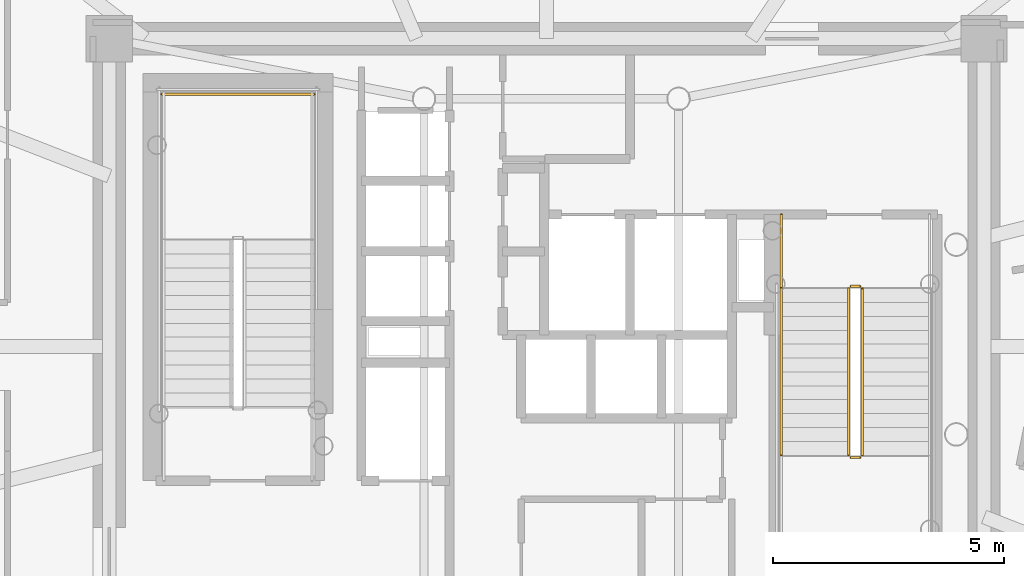
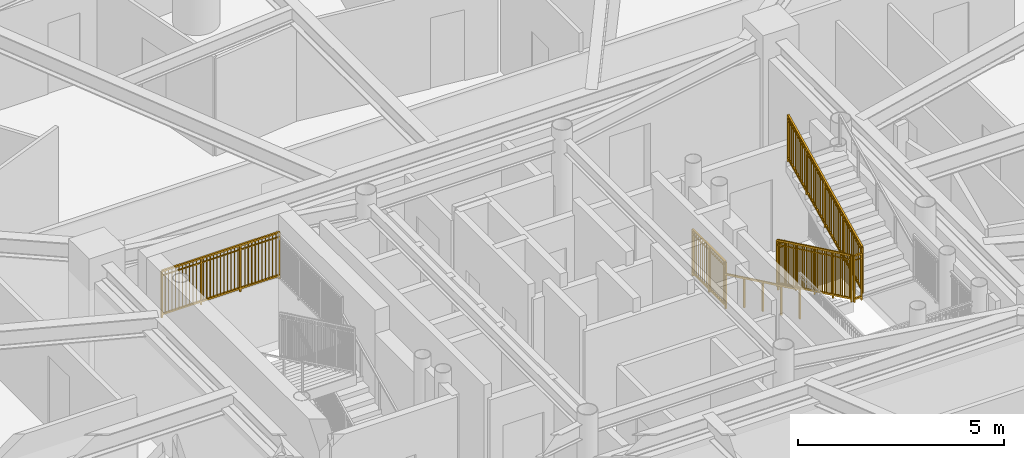
# One storey, part 16 of 18: 7 railings.
"""IFC4 building model written with IfcOpenShell, lengths in metres."""

from ifc_helpers import new_model, si_unit, direction, frame, origin, origin_2d, place, context, subcontext, project, spatial, rectangle, extrude, source, transform, mapped, material, type_object, element, save


model = new_model("IFC4")

# Units and contexts
model_context = context("Model", 3, precision=1e-05, world=origin(), true_north=direction((0.0, 1.0)))
body_context = subcontext(model_context, "Body", "Model", "MODEL_VIEW")
ifc_project = project(units=[si_unit("LENGTHUNIT", "METRE"), si_unit("AREAUNIT", "SQUARE_METRE"), si_unit("VOLUMEUNIT", "CUBIC_METRE"), si_unit("PLANEANGLEUNIT", "RADIAN"), si_unit("MASSUNIT", "GRAM", prefix="KILO")], contexts=[model_context])

# Site, building, storey
site_placement = place(None, origin())
site = spatial("IfcSite", under=ifc_project, at=site_placement, CompositionType="ELEMENT")
building_placement = place(site_placement, origin())
building = spatial("IfcBuilding", under=site, at=building_placement, Name="Linh Dai School and Residence Tower", CompositionType="ELEMENT")
storey_placement = place(building_placement, frame((0.0, 0.0, 259.050048828125)))
storey = spatial("IfcBuildingStorey", under=building, at=storey_placement, Name="L64", CompositionType="ELEMENT", Elevation=259.050048828125)

# Railings
ifc_material_1 = material(Name="Structural Steel S355JR", Category="steel")
railing_type_1 = type_object("IfcRailingType", Name="RL-ST-GUARD-1400", PredefinedType="GUARDRAIL", material=ifc_material_1)
shared_shape_1 = source(origin(), body_context, "Body", "SweptSolid", [
    extrude(rectangle(XDim=0.048095703125, YDim=0.048095703125, at=origin_2d()), frame((0.0, 0.0, 1.3759765625), z_axis=(-1.0, 0.0, 0.0), x_axis=(0.0, -1.0, 0.0)), (0.0, 0.0, 1.0), 3.300048828125),
    extrude(rectangle(XDim=0.048095703125, YDim=0.048095703125, at=origin_2d()), frame((0.0, 0.0, 0.10009765625), z_axis=(-1.0, 0.0, 0.0), x_axis=(0.0, -1.0, 0.0)), (0.0, 0.0, 1.0), 3.300048828125),
    extrude(rectangle(XDim=0.030029296875, YDim=0.030029296875, at=origin_2d()), frame((0.0, 0.0, 1.239990234375), z_axis=(-1.0, 0.0, 0.0), x_axis=(0.0, -1.0, 0.0)), (0.0, 0.0, 1.0), 3.300048828125),
    extrude(rectangle(XDim=0.02001953125, YDim=0.02001953125, at=origin_2d()), frame((-0.09716796875, 0.0, 0.10009765625)), (0.0, 0.0, 1.0), 1.251708984375),
    extrude(rectangle(XDim=0.02001953125, YDim=0.02001953125, at=origin_2d()), frame((-0.194091796875, 0.0, 0.10009765625)), (0.0, 0.0, 1.0), 1.251708984375),
    extrude(rectangle(XDim=0.02001953125, YDim=0.02001953125, at=origin_2d()), frame((-0.291259765625, 0.0, 0.10009765625)), (0.0, 0.0, 1.0), 1.251708984375),
    extrude(rectangle(XDim=0.02001953125, YDim=0.02001953125, at=origin_2d()), frame((-0.38818359375, 0.0, 0.10009765625)), (0.0, 0.0, 1.0), 1.251708984375),
    extrude(rectangle(XDim=0.02001953125, YDim=0.02001953125, at=origin_2d()), frame((-0.4853515625, 0.0, 0.10009765625)), (0.0, 0.0, 1.0), 1.251708984375),
    extrude(rectangle(XDim=0.02001953125, YDim=0.02001953125, at=origin_2d()), frame((-0.582275390625, 0.0, 0.10009765625)), (0.0, 0.0, 1.0), 1.251708984375),
    extrude(rectangle(XDim=0.02001953125, YDim=0.02001953125, at=origin_2d()), frame((-0.679443359375, 0.0, 0.10009765625)), (0.0, 0.0, 1.0), 1.251708984375),
    extrude(rectangle(XDim=0.02001953125, YDim=0.02001953125, at=origin_2d()), frame((-0.7763671875, 0.0, 0.10009765625)), (0.0, 0.0, 1.0), 1.251708984375),
    extrude(rectangle(XDim=0.02001953125, YDim=0.02001953125, at=origin_2d()), frame((-0.87353515625, 0.0, 0.10009765625)), (0.0, 0.0, 1.0), 1.251708984375),
    extrude(rectangle(XDim=0.02001953125, YDim=0.02001953125, at=origin_2d()), frame((-0.970703125, 0.0, 0.10009765625)), (0.0, 0.0, 1.0), 1.251708984375),
    extrude(rectangle(XDim=0.02001953125, YDim=0.02001953125, at=origin_2d()), frame((-1.164794921875, 0.0, 0.10009765625)), (0.0, 0.0, 1.0), 1.251708984375),
    extrude(rectangle(XDim=0.02001953125, YDim=0.02001953125, at=origin_2d()), frame((-1.26171875, 0.0, 0.10009765625)), (0.0, 0.0, 1.0), 1.251708984375),
    extrude(rectangle(XDim=0.02001953125, YDim=0.02001953125, at=origin_2d()), frame((-1.35888671875, 0.0, 0.10009765625)), (0.0, 0.0, 1.0), 1.251708984375),
    extrude(rectangle(XDim=0.02001953125, YDim=0.02001953125, at=origin_2d()), frame((-1.455810546875, 0.0, 0.10009765625)), (0.0, 0.0, 1.0), 1.251708984375),
    extrude(rectangle(XDim=0.02001953125, YDim=0.02001953125, at=origin_2d()), frame((-1.552978515625, 0.0, 0.10009765625)), (0.0, 0.0, 1.0), 1.251708984375),
    extrude(rectangle(XDim=0.02001953125, YDim=0.02001953125, at=origin_2d()), frame((-1.64990234375, 0.0, 0.10009765625)), (0.0, 0.0, 1.0), 1.251708984375),
    extrude(rectangle(XDim=0.02001953125, YDim=0.02001953125, at=origin_2d()), frame((-1.7470703125, 0.0, 0.10009765625)), (0.0, 0.0, 1.0), 1.251708984375),
    extrude(rectangle(XDim=0.02001953125, YDim=0.02001953125, at=origin_2d()), frame((-1.84423828125, 0.0, 0.10009765625)), (0.0, 0.0, 1.0), 1.251708984375),
    extrude(rectangle(XDim=0.02001953125, YDim=0.02001953125, at=origin_2d()), frame((-1.941162109375, 0.0, 0.10009765625)), (0.0, 0.0, 1.0), 1.251708984375),
    extrude(rectangle(XDim=0.02001953125, YDim=0.02001953125, at=origin_2d()), frame((-2.038330078125, 0.0, 0.10009765625)), (0.0, 0.0, 1.0), 1.251708984375),
    extrude(rectangle(XDim=0.02001953125, YDim=0.02001953125, at=origin_2d()), frame((-2.13525390625, 0.0, 0.10009765625)), (0.0, 0.0, 1.0), 1.251708984375),
    extrude(rectangle(XDim=0.02001953125, YDim=0.02001953125, at=origin_2d()), frame((-2.329345703125, 0.0, 0.10009765625)), (0.0, 0.0, 1.0), 1.251708984375),
    extrude(rectangle(XDim=0.02001953125, YDim=0.02001953125, at=origin_2d()), frame((-2.426513671875, 0.0, 0.10009765625)), (0.0, 0.0, 1.0), 1.251708984375),
    extrude(rectangle(XDim=0.02001953125, YDim=0.02001953125, at=origin_2d()), frame((-2.523681640625, 0.0, 0.10009765625)), (0.0, 0.0, 1.0), 1.251708984375),
    extrude(rectangle(XDim=0.02001953125, YDim=0.02001953125, at=origin_2d()), frame((-2.62060546875, 0.0, 0.10009765625)), (0.0, 0.0, 1.0), 1.251708984375),
    extrude(rectangle(XDim=0.02001953125, YDim=0.02001953125, at=origin_2d()), frame((-2.7177734375, 0.0, 0.10009765625)), (0.0, 0.0, 1.0), 1.251708984375),
    extrude(rectangle(XDim=0.02001953125, YDim=0.02001953125, at=origin_2d()), frame((-2.814697265625, 0.0, 0.10009765625)), (0.0, 0.0, 1.0), 1.251708984375),
    extrude(rectangle(XDim=0.02001953125, YDim=0.02001953125, at=origin_2d()), frame((-2.911865234375, 0.0, 0.10009765625)), (0.0, 0.0, 1.0), 1.251708984375),
    extrude(rectangle(XDim=0.02001953125, YDim=0.02001953125, at=origin_2d()), frame((-3.0087890625, 0.0, 0.10009765625)), (0.0, 0.0, 1.0), 1.251708984375),
    extrude(rectangle(XDim=0.02001953125, YDim=0.02001953125, at=origin_2d()), frame((-3.10595703125, 0.0, 0.10009765625)), (0.0, 0.0, 1.0), 1.251708984375),
    extrude(rectangle(XDim=0.02001953125, YDim=0.02001953125, at=origin_2d()), frame((-3.202880859375, 0.0, 0.10009765625)), (0.0, 0.0, 1.0), 1.251708984375),
    extrude(rectangle(XDim=0.0419921875, YDim=0.0419921875, at=origin_2d()), origin(), (0.0, 0.0, 1.0), 1.3759765625),
    extrude(rectangle(XDim=0.0419921875, YDim=0.0419921875, at=origin_2d()), frame((-1.10009765625, 0.0, 0.0)), (0.0, 0.0, 1.0), 1.3759765625),
    extrude(rectangle(XDim=0.0419921875, YDim=0.0419921875, at=origin_2d()), frame((-2.199951171875, 0.0, 0.0)), (0.0, 0.0, 1.0), 1.3759765625),
    extrude(rectangle(XDim=0.0419921875, YDim=0.0419921875, at=origin_2d()), frame((-3.300048828125, 0.0, 0.0)), (0.0, 0.0, 1.0), 1.3759765625),
])
railing_1_placement = place(storey_placement, frame((30.97998046875, 32.449951171875, 1.875)))
element("IfcRailing", 1, at=railing_1_placement, inside=storey, type_object=railing_type_1, Name="L64 ST1 stair guard 5", PredefinedType="GUARDRAIL", context=body_context, shape_type="MappedRepresentation", body=[
    mapped(shared_shape_1, transform((0.0, 0.0, 0.0), x_axis=(1.0, 0.0, 0.0), y_axis=(0.0, 1.0, 0.0), z_axis=(0.0, 0.0, 1.0), scale=1.0)),
])
shared_shape_2 = source(origin(), body_context, "Body", "SweptSolid", [
    extrude(rectangle(XDim=0.048095703125, YDim=0.048095703125, at=origin_2d()), frame((0.0, 0.0, 1.3759765625), z_axis=(0.0, 0.901262522062, 0.433273431364), x_axis=(-1.0, 0.0, 0.0)), (0.0, 0.0, 1.0), 3.994384765625),
    extrude(rectangle(XDim=0.048095703125, YDim=0.048095703125, at=origin_2d()), frame((0.0, 0.0, 0.10009765625), z_axis=(0.0, 0.901262522062, 0.433273431364), x_axis=(-1.0, 0.0, 0.0)), (0.0, 0.0, 1.0), 3.994384765625),
    extrude(rectangle(XDim=0.030029296875, YDim=0.030029296875, at=origin_2d()), frame((0.0, 0.0, 1.239990234375), z_axis=(0.0, 0.901262522062, 0.433273431364), x_axis=(-1.0, 0.0, 0.0)), (0.0, 0.0, 1.0), 3.994384765625),
    extrude(rectangle(XDim=0.02001953125, YDim=0.02001953125, at=origin_2d()), frame((0.0, 0.087890625, 0.142333984375)), (0.0, 0.0, 1.0), 1.251708984375),
    extrude(rectangle(XDim=0.02001953125, YDim=0.02001953125, at=origin_2d()), frame((0.0, 0.175537109375, 0.1845703125)), (0.0, 0.0, 1.0), 1.251708984375),
    extrude(rectangle(XDim=0.02001953125, YDim=0.02001953125, at=origin_2d()), frame((0.0, 0.263427734375, 0.226806640625)), (0.0, 0.0, 1.0), 1.251708984375),
    extrude(rectangle(XDim=0.02001953125, YDim=0.02001953125, at=origin_2d()), frame((0.0, 0.351318359375, 0.26904296875)), (0.0, 0.0, 1.0), 1.251708984375),
    extrude(rectangle(XDim=0.02001953125, YDim=0.02001953125, at=origin_2d()), frame((0.0, 0.43896484375, 0.311279296875)), (0.0, 0.0, 1.0), 1.251708984375),
    extrude(rectangle(XDim=0.02001953125, YDim=0.02001953125, at=origin_2d()), frame((0.0, 0.52685546875, 0.353271484375)), (0.0, 0.0, 1.0), 1.251708984375),
    extrude(rectangle(XDim=0.02001953125, YDim=0.02001953125, at=origin_2d()), frame((0.0, 0.61474609375, 0.3955078125)), (0.0, 0.0, 1.0), 1.251708984375),
    extrude(rectangle(XDim=0.02001953125, YDim=0.02001953125, at=origin_2d()), frame((0.0, 0.702392578125, 0.437744140625)), (0.0, 0.0, 1.0), 1.251708984375),
    extrude(rectangle(XDim=0.02001953125, YDim=0.02001953125, at=origin_2d()), frame((0.0, 0.790283203125, 0.47998046875)), (0.0, 0.0, 1.0), 1.251708984375),
    extrude(rectangle(XDim=0.02001953125, YDim=0.02001953125, at=origin_2d()), frame((0.0, 0.9658203125, 0.564453125)), (0.0, 0.0, 1.0), 1.251708984375),
    extrude(rectangle(XDim=0.02001953125, YDim=0.02001953125, at=origin_2d()), frame((0.0, 1.0537109375, 0.606689453125)), (0.0, 0.0, 1.0), 1.251708984375),
    extrude(rectangle(XDim=0.02001953125, YDim=0.02001953125, at=origin_2d()), frame((0.0, 1.1416015625, 0.64892578125)), (0.0, 0.0, 1.0), 1.251708984375),
    extrude(rectangle(XDim=0.02001953125, YDim=0.02001953125, at=origin_2d()), frame((0.0, 1.229248046875, 0.691162109375)), (0.0, 0.0, 1.0), 1.251708984375),
    extrude(rectangle(XDim=0.02001953125, YDim=0.02001953125, at=origin_2d()), frame((0.0, 1.317138671875, 0.7333984375)), (0.0, 0.0, 1.0), 1.251708984375),
    extrude(rectangle(XDim=0.02001953125, YDim=0.02001953125, at=origin_2d()), frame((0.0, 1.405029296875, 0.775390625)), (0.0, 0.0, 1.0), 1.251708984375),
    extrude(rectangle(XDim=0.02001953125, YDim=0.02001953125, at=origin_2d()), frame((0.0, 1.49267578125, 0.817626953125)), (0.0, 0.0, 1.0), 1.251708984375),
    extrude(rectangle(XDim=0.02001953125, YDim=0.02001953125, at=origin_2d()), frame((0.0, 1.58056640625, 0.85986328125)), (0.0, 0.0, 1.0), 1.251708984375),
    extrude(rectangle(XDim=0.02001953125, YDim=0.02001953125, at=origin_2d()), frame((0.0, 1.66845703125, 0.902099609375)), (0.0, 0.0, 1.0), 1.251708984375),
    extrude(rectangle(XDim=0.02001953125, YDim=0.02001953125, at=origin_2d()), frame((0.0, 1.756103515625, 0.9443359375)), (0.0, 0.0, 1.0), 1.251708984375),
    extrude(rectangle(XDim=0.02001953125, YDim=0.02001953125, at=origin_2d()), frame((0.0, 1.843994140625, 0.986572265625)), (0.0, 0.0, 1.0), 1.251708984375),
    extrude(rectangle(XDim=0.02001953125, YDim=0.02001953125, at=origin_2d()), frame((0.0, 1.931640625, 1.02880859375)), (0.0, 0.0, 1.0), 1.251708984375),
    extrude(rectangle(XDim=0.02001953125, YDim=0.02001953125, at=origin_2d()), frame((0.0, 2.01953125, 1.071044921875)), (0.0, 0.0, 1.0), 1.251708984375),
    extrude(rectangle(XDim=0.02001953125, YDim=0.02001953125, at=origin_2d()), frame((0.0, 2.107421875, 1.11328125)), (0.0, 0.0, 1.0), 1.251708984375),
    extrude(rectangle(XDim=0.02001953125, YDim=0.02001953125, at=origin_2d()), frame((0.0, 2.195068359375, 1.155517578125)), (0.0, 0.0, 1.0), 1.251708984375),
    extrude(rectangle(XDim=0.02001953125, YDim=0.02001953125, at=origin_2d()), frame((0.0, 2.282958984375, 1.197509765625)), (0.0, 0.0, 1.0), 1.251708984375),
    extrude(rectangle(XDim=0.02001953125, YDim=0.02001953125, at=origin_2d()), frame((0.0, 2.370849609375, 1.23974609375)), (0.0, 0.0, 1.0), 1.251708984375),
    extrude(rectangle(XDim=0.02001953125, YDim=0.02001953125, at=origin_2d()), frame((0.0, 2.45849609375, 1.281982421875)), (0.0, 0.0, 1.0), 1.251708984375),
    extrude(rectangle(XDim=0.02001953125, YDim=0.02001953125, at=origin_2d()), frame((0.0, 2.54638671875, 1.32421875)), (0.0, 0.0, 1.0), 1.251708984375),
    extrude(rectangle(XDim=0.02001953125, YDim=0.02001953125, at=origin_2d()), frame((0.0, 2.63427734375, 1.366455078125)), (0.0, 0.0, 1.0), 1.251708984375),
    extrude(rectangle(XDim=0.02001953125, YDim=0.02001953125, at=origin_2d()), frame((0.0, 2.809814453125, 1.450927734375)), (0.0, 0.0, 1.0), 1.251708984375),
    extrude(rectangle(XDim=0.02001953125, YDim=0.02001953125, at=origin_2d()), frame((0.0, 2.897705078125, 1.4931640625)), (0.0, 0.0, 1.0), 1.251708984375),
    extrude(rectangle(XDim=0.02001953125, YDim=0.02001953125, at=origin_2d()), frame((0.0, 2.9853515625, 1.535400390625)), (0.0, 0.0, 1.0), 1.251708984375),
    extrude(rectangle(XDim=0.02001953125, YDim=0.02001953125, at=origin_2d()), frame((0.0, 3.0732421875, 1.57763671875)), (0.0, 0.0, 1.0), 1.251708984375),
    extrude(rectangle(XDim=0.02001953125, YDim=0.02001953125, at=origin_2d()), frame((0.0, 3.1611328125, 1.61962890625)), (0.0, 0.0, 1.0), 1.251708984375),
    extrude(rectangle(XDim=0.02001953125, YDim=0.02001953125, at=origin_2d()), frame((0.0, 3.248779296875, 1.661865234375)), (0.0, 0.0, 1.0), 1.251708984375),
    extrude(rectangle(XDim=0.02001953125, YDim=0.02001953125, at=origin_2d()), frame((0.0, 3.336669921875, 1.7041015625)), (0.0, 0.0, 1.0), 1.251708984375),
    extrude(rectangle(XDim=0.02001953125, YDim=0.02001953125, at=origin_2d()), frame((0.0, 3.424560546875, 1.746337890625)), (0.0, 0.0, 1.0), 1.251708984375),
    extrude(rectangle(XDim=0.02001953125, YDim=0.02001953125, at=origin_2d()), frame((0.0, 3.51220703125, 1.78857421875)), (0.0, 0.0, 1.0), 1.251708984375),
    extrude(rectangle(XDim=0.0419921875, YDim=0.0419921875, at=origin_2d()), origin(), (0.0, 0.0, 1.0), 1.3759765625),
    extrude(rectangle(XDim=0.0419921875, YDim=0.0419921875, at=origin_2d()), frame((0.0, 0.89990234375, 0.4326171875)), (0.0, 0.0, 1.0), 1.3759765625),
    extrude(rectangle(XDim=0.0419921875, YDim=0.0419921875, at=origin_2d()), frame((0.0, 1.800048828125, 0.865234375)), (0.0, 0.0, 1.0), 1.3759765625),
    extrude(rectangle(XDim=0.0419921875, YDim=0.0419921875, at=origin_2d()), frame((0.0, 2.7001953125, 1.298095703125)), (0.0, 0.0, 1.0), 1.3759765625),
    extrude(rectangle(XDim=0.0419921875, YDim=0.0419921875, at=origin_2d()), frame((0.0, 3.60009765625, 1.730712890625)), (0.0, 0.0, 1.0), 1.3759765625),
])
railing_2_placement = place(storey_placement, frame((42.820068359375, 24.64990234375, 2.019287109375)))
element("IfcRailing", 2, at=railing_2_placement, inside=storey, type_object=railing_type_1, Name="L64 ST2 stair guard 6", PredefinedType="GUARDRAIL", context=body_context, shape_type="MappedRepresentation", body=[
    mapped(shared_shape_2, transform((0.0, 0.0, 0.0), x_axis=(1.0, 0.0, 0.0), y_axis=(0.0, 1.0, 0.0), z_axis=(0.0, 0.0, 1.0), scale=1.0)),
])
shared_shape_3 = source(origin(), body_context, "Body", "SweptSolid", [
    extrude(rectangle(XDim=0.048095703125, YDim=0.048095703125, at=origin_2d()), frame((0.0, 0.0, 1.3759765625), z_axis=(0.0, -0.901262522062, 0.433273431364), x_axis=(1.0, 0.0, 0.0)), (0.0, 0.0, 1.0), 3.994384765625),
    extrude(rectangle(XDim=0.048095703125, YDim=0.048095703125, at=origin_2d()), frame((0.0, 0.0, 0.10009765625), z_axis=(0.0, -0.901262522062, 0.433273431364), x_axis=(1.0, 0.0, 0.0)), (0.0, 0.0, 1.0), 3.994384765625),
    extrude(rectangle(XDim=0.030029296875, YDim=0.030029296875, at=origin_2d()), frame((0.0, 0.0, 1.239990234375), z_axis=(0.0, -0.901262522062, 0.433273431364), x_axis=(1.0, 0.0, 0.0)), (0.0, 0.0, 1.0), 3.994384765625),
    extrude(rectangle(XDim=0.02001953125, YDim=0.02001953125, at=origin_2d()), frame((0.0, -0.087890625, 0.142333984375)), (0.0, 0.0, 1.0), 1.251708984375),
    extrude(rectangle(XDim=0.02001953125, YDim=0.02001953125, at=origin_2d()), frame((0.0, -0.175537109375, 0.1845703125)), (0.0, 0.0, 1.0), 1.251708984375),
    extrude(rectangle(XDim=0.02001953125, YDim=0.02001953125, at=origin_2d()), frame((0.0, -0.263427734375, 0.226806640625)), (0.0, 0.0, 1.0), 1.251708984375),
    extrude(rectangle(XDim=0.02001953125, YDim=0.02001953125, at=origin_2d()), frame((0.0, -0.351318359375, 0.26904296875)), (0.0, 0.0, 1.0), 1.251708984375),
    extrude(rectangle(XDim=0.02001953125, YDim=0.02001953125, at=origin_2d()), frame((0.0, -0.43896484375, 0.311279296875)), (0.0, 0.0, 1.0), 1.251708984375),
    extrude(rectangle(XDim=0.02001953125, YDim=0.02001953125, at=origin_2d()), frame((0.0, -0.52685546875, 0.353271484375)), (0.0, 0.0, 1.0), 1.251708984375),
    extrude(rectangle(XDim=0.02001953125, YDim=0.02001953125, at=origin_2d()), frame((0.0, -0.61474609375, 0.3955078125)), (0.0, 0.0, 1.0), 1.251708984375),
    extrude(rectangle(XDim=0.02001953125, YDim=0.02001953125, at=origin_2d()), frame((0.0, -0.702392578125, 0.437744140625)), (0.0, 0.0, 1.0), 1.251708984375),
    extrude(rectangle(XDim=0.02001953125, YDim=0.02001953125, at=origin_2d()), frame((0.0, -0.790283203125, 0.47998046875)), (0.0, 0.0, 1.0), 1.251708984375),
    extrude(rectangle(XDim=0.02001953125, YDim=0.02001953125, at=origin_2d()), frame((0.0, -0.9658203125, 0.564453125)), (0.0, 0.0, 1.0), 1.251708984375),
    extrude(rectangle(XDim=0.02001953125, YDim=0.02001953125, at=origin_2d()), frame((0.0, -1.0537109375, 0.606689453125)), (0.0, 0.0, 1.0), 1.251708984375),
    extrude(rectangle(XDim=0.02001953125, YDim=0.02001953125, at=origin_2d()), frame((0.0, -1.1416015625, 0.64892578125)), (0.0, 0.0, 1.0), 1.251708984375),
    extrude(rectangle(XDim=0.02001953125, YDim=0.02001953125, at=origin_2d()), frame((0.0, -1.229248046875, 0.691162109375)), (0.0, 0.0, 1.0), 1.251708984375),
    extrude(rectangle(XDim=0.02001953125, YDim=0.02001953125, at=origin_2d()), frame((0.0, -1.317138671875, 0.7333984375)), (0.0, 0.0, 1.0), 1.251708984375),
    extrude(rectangle(XDim=0.02001953125, YDim=0.02001953125, at=origin_2d()), frame((0.0, -1.405029296875, 0.775390625)), (0.0, 0.0, 1.0), 1.251708984375),
    extrude(rectangle(XDim=0.02001953125, YDim=0.02001953125, at=origin_2d()), frame((0.0, -1.49267578125, 0.817626953125)), (0.0, 0.0, 1.0), 1.251708984375),
    extrude(rectangle(XDim=0.02001953125, YDim=0.02001953125, at=origin_2d()), frame((0.0, -1.58056640625, 0.85986328125)), (0.0, 0.0, 1.0), 1.251708984375),
    extrude(rectangle(XDim=0.02001953125, YDim=0.02001953125, at=origin_2d()), frame((0.0, -1.66845703125, 0.902099609375)), (0.0, 0.0, 1.0), 1.251708984375),
    extrude(rectangle(XDim=0.02001953125, YDim=0.02001953125, at=origin_2d()), frame((0.0, -1.756103515625, 0.9443359375)), (0.0, 0.0, 1.0), 1.251708984375),
    extrude(rectangle(XDim=0.02001953125, YDim=0.02001953125, at=origin_2d()), frame((0.0, -1.843994140625, 0.986572265625)), (0.0, 0.0, 1.0), 1.251708984375),
    extrude(rectangle(XDim=0.02001953125, YDim=0.02001953125, at=origin_2d()), frame((0.0, -1.931640625, 1.02880859375)), (0.0, 0.0, 1.0), 1.251708984375),
    extrude(rectangle(XDim=0.02001953125, YDim=0.02001953125, at=origin_2d()), frame((0.0, -2.01953125, 1.071044921875)), (0.0, 0.0, 1.0), 1.251708984375),
    extrude(rectangle(XDim=0.02001953125, YDim=0.02001953125, at=origin_2d()), frame((0.0, -2.107421875, 1.11328125)), (0.0, 0.0, 1.0), 1.251708984375),
    extrude(rectangle(XDim=0.02001953125, YDim=0.02001953125, at=origin_2d()), frame((0.0, -2.195068359375, 1.155517578125)), (0.0, 0.0, 1.0), 1.251708984375),
    extrude(rectangle(XDim=0.02001953125, YDim=0.02001953125, at=origin_2d()), frame((0.0, -2.282958984375, 1.197509765625)), (0.0, 0.0, 1.0), 1.251708984375),
    extrude(rectangle(XDim=0.02001953125, YDim=0.02001953125, at=origin_2d()), frame((0.0, -2.370849609375, 1.23974609375)), (0.0, 0.0, 1.0), 1.251708984375),
    extrude(rectangle(XDim=0.02001953125, YDim=0.02001953125, at=origin_2d()), frame((0.0, -2.45849609375, 1.281982421875)), (0.0, 0.0, 1.0), 1.251708984375),
    extrude(rectangle(XDim=0.02001953125, YDim=0.02001953125, at=origin_2d()), frame((0.0, -2.54638671875, 1.32421875)), (0.0, 0.0, 1.0), 1.251708984375),
    extrude(rectangle(XDim=0.02001953125, YDim=0.02001953125, at=origin_2d()), frame((0.0, -2.63427734375, 1.366455078125)), (0.0, 0.0, 1.0), 1.251708984375),
    extrude(rectangle(XDim=0.02001953125, YDim=0.02001953125, at=origin_2d()), frame((0.0, -2.809814453125, 1.450927734375)), (0.0, 0.0, 1.0), 1.251708984375),
    extrude(rectangle(XDim=0.02001953125, YDim=0.02001953125, at=origin_2d()), frame((0.0, -2.897705078125, 1.4931640625)), (0.0, 0.0, 1.0), 1.251708984375),
    extrude(rectangle(XDim=0.02001953125, YDim=0.02001953125, at=origin_2d()), frame((0.0, -2.9853515625, 1.535400390625)), (0.0, 0.0, 1.0), 1.251708984375),
    extrude(rectangle(XDim=0.02001953125, YDim=0.02001953125, at=origin_2d()), frame((0.0, -3.0732421875, 1.57763671875)), (0.0, 0.0, 1.0), 1.251708984375),
    extrude(rectangle(XDim=0.02001953125, YDim=0.02001953125, at=origin_2d()), frame((0.0, -3.1611328125, 1.61962890625)), (0.0, 0.0, 1.0), 1.251708984375),
    extrude(rectangle(XDim=0.02001953125, YDim=0.02001953125, at=origin_2d()), frame((0.0, -3.248779296875, 1.661865234375)), (0.0, 0.0, 1.0), 1.251708984375),
    extrude(rectangle(XDim=0.02001953125, YDim=0.02001953125, at=origin_2d()), frame((0.0, -3.336669921875, 1.7041015625)), (0.0, 0.0, 1.0), 1.251708984375),
    extrude(rectangle(XDim=0.02001953125, YDim=0.02001953125, at=origin_2d()), frame((0.0, -3.424560546875, 1.746337890625)), (0.0, 0.0, 1.0), 1.251708984375),
    extrude(rectangle(XDim=0.02001953125, YDim=0.02001953125, at=origin_2d()), frame((0.0, -3.51220703125, 1.78857421875)), (0.0, 0.0, 1.0), 1.251708984375),
    extrude(rectangle(XDim=0.0419921875, YDim=0.0419921875, at=origin_2d()), origin(), (0.0, 0.0, 1.0), 1.3759765625),
    extrude(rectangle(XDim=0.0419921875, YDim=0.0419921875, at=origin_2d()), frame((0.0, -0.89990234375, 0.4326171875)), (0.0, 0.0, 1.0), 1.3759765625),
    extrude(rectangle(XDim=0.0419921875, YDim=0.0419921875, at=origin_2d()), frame((0.0, -1.800048828125, 0.865234375)), (0.0, 0.0, 1.0), 1.3759765625),
    extrude(rectangle(XDim=0.0419921875, YDim=0.0419921875, at=origin_2d()), frame((0.0, -2.7001953125, 1.298095703125)), (0.0, 0.0, 1.0), 1.3759765625),
    extrude(rectangle(XDim=0.0419921875, YDim=0.0419921875, at=origin_2d()), frame((0.0, -3.60009765625, 1.730712890625)), (0.0, 0.0, 1.0), 1.3759765625),
])
railing_3_placement = place(storey_placement, frame((42.52001953125, 28.25, 0.144287109375)))
element("IfcRailing", 3, at=railing_3_placement, inside=storey, type_object=railing_type_1, Name="L64 ST2 stair guard 1", PredefinedType="GUARDRAIL", context=body_context, shape_type="MappedRepresentation", body=[
    mapped(shared_shape_3, transform((0.0, 0.0, 0.0), x_axis=(1.0, 0.0, 0.0), y_axis=(0.0, 1.0, 0.0), z_axis=(0.0, 0.0, 1.0), scale=1.0)),
])
ifc_material_2 = material(Name="Brushed Stainless Steel Handrail", Category="steel")
railing_type_2 = type_object("IfcRailingType", Name="RL-ST-HANDRAIL-900", PredefinedType="HANDRAIL", material=ifc_material_2)
shared_shape_4 = source(origin(), body_context, "Body", "SweptSolid", [
    extrude(rectangle(XDim=0.048095703125, YDim=0.048095703125, at=origin_2d()), frame((0.0, 0.0, 0.8759765625), z_axis=(0.0, -0.901262522062, 0.433273431364), x_axis=(1.0, 0.0, 0.0)), (0.0, 0.0, 1.0), 3.994384765625),
    extrude(rectangle(XDim=0.0419921875, YDim=0.0419921875, at=origin_2d()), origin(), (0.0, 0.0, 1.0), 0.8759765625),
    extrude(rectangle(XDim=0.0419921875, YDim=0.0419921875, at=origin_2d()), frame((0.0, -0.89990234375, 0.4326171875)), (0.0, 0.0, 1.0), 0.8759765625),
    extrude(rectangle(XDim=0.0419921875, YDim=0.0419921875, at=origin_2d()), frame((0.0, -1.800048828125, 0.865234375)), (0.0, 0.0, 1.0), 0.8759765625),
    extrude(rectangle(XDim=0.0419921875, YDim=0.0419921875, at=origin_2d()), frame((0.0, -2.7001953125, 1.298095703125)), (0.0, 0.0, 1.0), 0.8759765625),
    extrude(rectangle(XDim=0.0419921875, YDim=0.0419921875, at=origin_2d()), frame((0.0, -3.60009765625, 1.730712890625)), (0.0, 0.0, 1.0), 0.8759765625),
])
railing_4_placement = place(storey_placement, frame((41.070068359375, 28.25, 0.144287109375)))
element("IfcRailing", 4, at=railing_4_placement, inside=storey, type_object=railing_type_2, Name="L64 ST2 stair handrail 1", PredefinedType="HANDRAIL", context=body_context, shape_type="MappedRepresentation", body=[
    mapped(shared_shape_4, transform((0.0, 0.0, 0.0), x_axis=(1.0, 0.0, 0.0), y_axis=(0.0, 1.0, 0.0), z_axis=(0.0, 0.0, 1.0), scale=1.0)),
])
shared_shape_5 = source(origin(), body_context, "Body", "SweptSolid", [
    extrude(rectangle(XDim=0.048095703125, YDim=0.048095703125, at=origin_2d()), frame((0.0, 0.0, 1.3759765625), z_axis=(1.0, 0.0, 0.0), x_axis=(0.0, 1.0, 0.0)), (0.0, 0.0, 1.0), 0.199951171875),
    extrude(rectangle(XDim=0.048095703125, YDim=0.048095703125, at=origin_2d()), frame((0.0, 0.0, 0.10009765625), z_axis=(1.0, 0.0, 0.0), x_axis=(0.0, 1.0, 0.0)), (0.0, 0.0, 1.0), 0.199951171875),
    extrude(rectangle(XDim=0.030029296875, YDim=0.030029296875, at=origin_2d()), frame((0.0, 0.0, 1.239990234375), z_axis=(1.0, 0.0, 0.0), x_axis=(0.0, 1.0, 0.0)), (0.0, 0.0, 1.0), 0.199951171875),
    extrude(rectangle(XDim=0.0419921875, YDim=0.0419921875, at=origin_2d()), origin(), (0.0, 0.0, 1.0), 1.3759765625),
    extrude(rectangle(XDim=0.0419921875, YDim=0.0419921875, at=origin_2d()), frame((0.199951171875, 0.0, 0.0)), (0.0, 0.0, 1.0), 1.3759765625),
])
for number, where, name in (
    (5, (42.570068359375, 24.60009765625, 1.875), "L64 ST2 stair guard 2"),
    (6, (42.570068359375, 28.300048828125, 0.0), "L64 ST2 stair guard 7"),
):
    element("IfcRailing", number, at=place(storey_placement, frame(where)), inside=storey, type_object=railing_type_1, Name=name, PredefinedType="GUARDRAIL", context=body_context, shape_type="MappedRepresentation", body=[
        mapped(shared_shape_5, transform((0.0, 0.0, 0.0), x_axis=(1.0, 0.0, 0.0), y_axis=(0.0, 1.0, 0.0), z_axis=(0.0, 0.0, 1.0), scale=1.0)),
    ])
shared_shape_6 = source(origin(), body_context, "Body", "SweptSolid", [
    extrude(rectangle(XDim=0.048095703125, YDim=0.048095703125, at=origin_2d()), frame((0.0, 0.0, 1.3759765625), z_axis=(0.0, -1.0, 0.0), x_axis=(1.0, 0.0, 0.0)), (0.0, 0.0, 1.0), 1.60009765625),
    extrude(rectangle(XDim=0.048095703125, YDim=0.048095703125, at=origin_2d()), frame((0.0, 0.0, 0.10009765625), z_axis=(0.0, -1.0, 0.0), x_axis=(1.0, 0.0, 0.0)), (0.0, 0.0, 1.0), 1.60009765625),
    extrude(rectangle(XDim=0.030029296875, YDim=0.030029296875, at=origin_2d()), frame((0.0, 0.0, 1.239990234375), z_axis=(0.0, -1.0, 0.0), x_axis=(1.0, 0.0, 0.0)), (0.0, 0.0, 1.0), 1.60009765625),
    extrude(rectangle(XDim=0.02001953125, YDim=0.02001953125, at=origin_2d()), frame((0.0, -0.09423828125, 0.10009765625)), (0.0, 0.0, 1.0), 1.251708984375),
    extrude(rectangle(XDim=0.02001953125, YDim=0.02001953125, at=origin_2d()), frame((0.0, -0.188232421875, 0.10009765625)), (0.0, 0.0, 1.0), 1.251708984375),
    extrude(rectangle(XDim=0.02001953125, YDim=0.02001953125, at=origin_2d()), frame((0.0, -0.282470703125, 0.10009765625)), (0.0, 0.0, 1.0), 1.251708984375),
    extrude(rectangle(XDim=0.02001953125, YDim=0.02001953125, at=origin_2d()), frame((0.0, -0.37646484375, 0.10009765625)), (0.0, 0.0, 1.0), 1.251708984375),
    extrude(rectangle(XDim=0.02001953125, YDim=0.02001953125, at=origin_2d()), frame((0.0, -0.470703125, 0.10009765625)), (0.0, 0.0, 1.0), 1.251708984375),
    extrude(rectangle(XDim=0.02001953125, YDim=0.02001953125, at=origin_2d()), frame((0.0, -0.564697265625, 0.10009765625)), (0.0, 0.0, 1.0), 1.251708984375),
    extrude(rectangle(XDim=0.02001953125, YDim=0.02001953125, at=origin_2d()), frame((0.0, -0.658935546875, 0.10009765625)), (0.0, 0.0, 1.0), 1.251708984375),
    extrude(rectangle(XDim=0.02001953125, YDim=0.02001953125, at=origin_2d()), frame((0.0, -0.7529296875, 0.10009765625)), (0.0, 0.0, 1.0), 1.251708984375),
    extrude(rectangle(XDim=0.02001953125, YDim=0.02001953125, at=origin_2d()), frame((0.0, -0.84716796875, 0.10009765625)), (0.0, 0.0, 1.0), 1.251708984375),
    extrude(rectangle(XDim=0.02001953125, YDim=0.02001953125, at=origin_2d()), frame((0.0, -0.941162109375, 0.10009765625)), (0.0, 0.0, 1.0), 1.251708984375),
    extrude(rectangle(XDim=0.02001953125, YDim=0.02001953125, at=origin_2d()), frame((0.0, -1.035400390625, 0.10009765625)), (0.0, 0.0, 1.0), 1.251708984375),
    extrude(rectangle(XDim=0.02001953125, YDim=0.02001953125, at=origin_2d()), frame((0.0, -1.12939453125, 0.10009765625)), (0.0, 0.0, 1.0), 1.251708984375),
    extrude(rectangle(XDim=0.02001953125, YDim=0.02001953125, at=origin_2d()), frame((0.0, -1.2236328125, 0.10009765625)), (0.0, 0.0, 1.0), 1.251708984375),
    extrude(rectangle(XDim=0.02001953125, YDim=0.02001953125, at=origin_2d()), frame((0.0, -1.317626953125, 0.10009765625)), (0.0, 0.0, 1.0), 1.251708984375),
    extrude(rectangle(XDim=0.02001953125, YDim=0.02001953125, at=origin_2d()), frame((0.0, -1.411865234375, 0.10009765625)), (0.0, 0.0, 1.0), 1.251708984375),
    extrude(rectangle(XDim=0.02001953125, YDim=0.02001953125, at=origin_2d()), frame((0.0, -1.505859375, 0.10009765625)), (0.0, 0.0, 1.0), 1.251708984375),
    extrude(rectangle(XDim=0.0419921875, YDim=0.0419921875, at=origin_2d()), origin(), (0.0, 0.0, 1.0), 1.3759765625),
    extrude(rectangle(XDim=0.0419921875, YDim=0.0419921875, at=origin_2d()), frame((0.0, -0.800048828125, 0.0)), (0.0, 0.0, 1.0), 1.3759765625),
    extrude(rectangle(XDim=0.0419921875, YDim=0.0419921875, at=origin_2d()), frame((0.0, -1.60009765625, 0.0)), (0.0, 0.0, 1.0), 1.3759765625),
])
railing_5_placement = place(storey_placement, frame((41.070068359375, 29.85009765625, 0.0)))
element("IfcRailing", 7, at=railing_5_placement, inside=storey, type_object=railing_type_1, Name="L64 ST2 stair guard 8", PredefinedType="GUARDRAIL", context=body_context, shape_type="MappedRepresentation", body=[
    mapped(shared_shape_6, transform((0.0, 0.0, 0.0), x_axis=(1.0, 0.0, 0.0), y_axis=(0.0, 1.0, 0.0), z_axis=(0.0, 0.0, 1.0), scale=1.0)),
])

save(model, "model.ifc")
